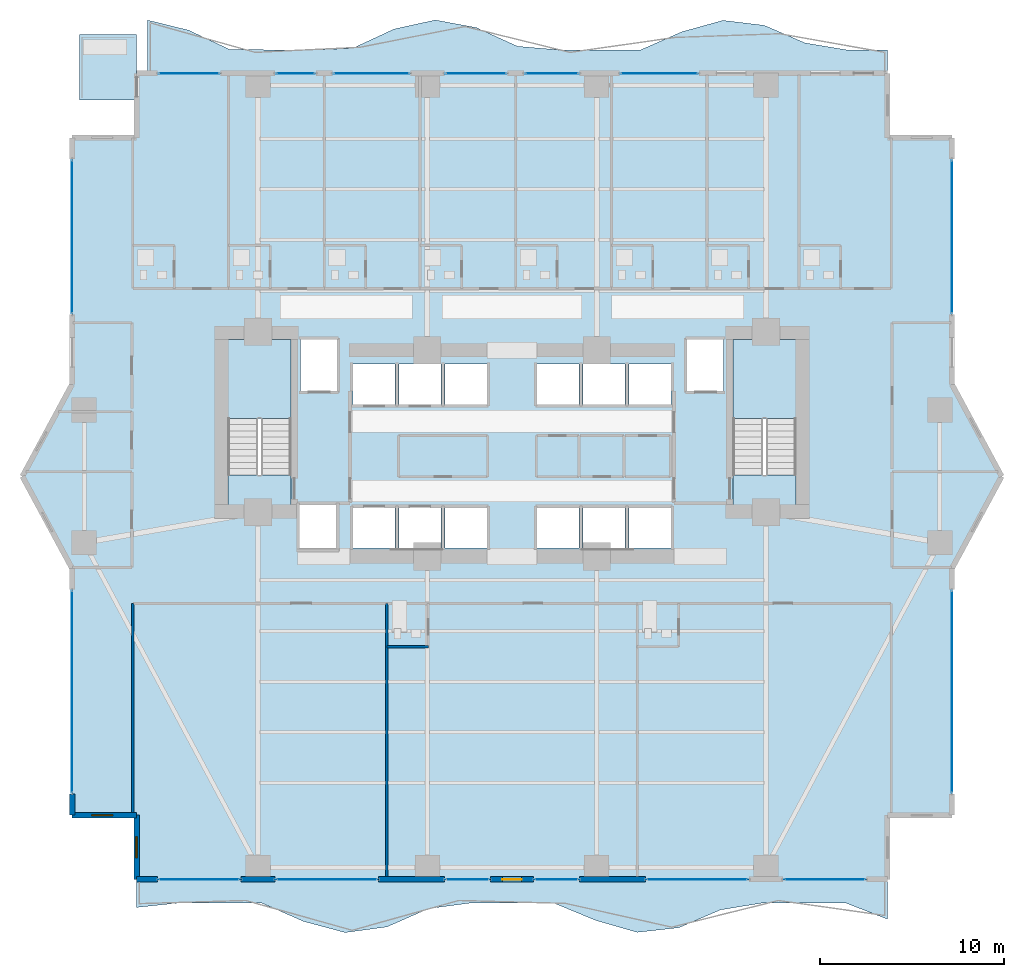
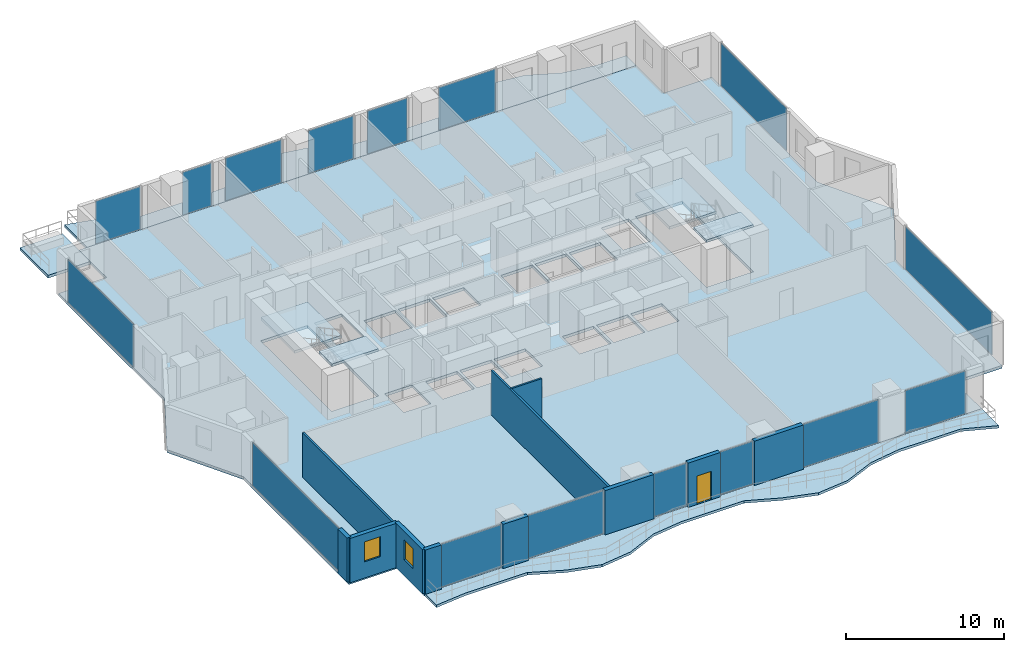
# One storey, part 20 of 29: 16 plates, 11 walls, 8 slabs, 2 windows, 1 door, 3 openings, 18 elements without a shape of their own.
"""IFC4 building model written with IfcOpenShell, lengths in metres."""

from ifc_helpers import new_model, si_unit, direction, frame, frame_2d, origin, origin_2d, place, context, subcontext, project, spatial, polyline, rectangle, outline, extrude, material, layer, layer_set, type_object, element, fill, aggregate, save


model = new_model("IFC4")

# Units and contexts
model_context = context("Model", 3, precision=1e-05, world=origin(), true_north=direction((0.0, 1.0)))
body_context = subcontext(model_context, "Body", "Model", "MODEL_VIEW")
ifc_project = project(units=[si_unit("LENGTHUNIT", "METRE"), si_unit("AREAUNIT", "SQUARE_METRE"), si_unit("VOLUMEUNIT", "CUBIC_METRE"), si_unit("PLANEANGLEUNIT", "RADIAN"), si_unit("MASSUNIT", "GRAM", prefix="KILO")], contexts=[model_context])

# Site, building, storey
site_placement = place(None, origin())
site = spatial("IfcSite", under=ifc_project, at=site_placement, CompositionType="ELEMENT")
building_placement = place(site_placement, origin())
building = spatial("IfcBuilding", under=site, at=building_placement, Name="Zuhayl Quay Hotel", CompositionType="ELEMENT")
storey_placement = place(building_placement, frame((0.0, 0.0, 113.89990234375)))
storey = spatial("IfcBuildingStorey", under=building, at=storey_placement, Name="L28", CompositionType="ELEMENT", Elevation=113.89990234375)

# Curtain wall, plate
ifc_material_1 = material(Name="Anodised Aluminium 6063-T6", Category="aluminium")
ifc_layer_1 = layer(ifc_material_1, 0.179931640625, Name="Anodised Aluminium 6063-T6", Category="aluminium")
ifc_layer_set_1 = layer_set([ifc_layer_1], Name="Anodised Aluminium 6063-T6")
curtain_wall_type = type_object("IfcCurtainWallType", Name="CW_SYS_Z2", PredefinedType="USERDEFINED", material=ifc_layer_set_1)
curtain_wall_1_placement = place(storey_placement, origin())
curtain_wall_1 = element("IfcCurtainWall", 1, at=curtain_wall_1_placement, inside=storey, type_object=curtain_wall_type, Name="L28 Curtain Wall ENV_L28_E02_CW1", ObjectType="UNITISED CURTAIN WALL", PredefinedType="USERDEFINED")
ifc_material_2 = material(Name="Dark Ceramic-Fritted Solar Glass", Category="glass")
ifc_layer_2 = layer(ifc_material_2, 0.035888671875, Name="Dark Ceramic-Fritted Solar Glass", Category="glass")
ifc_layer_set_2 = layer_set([ifc_layer_2], Name="Dark Ceramic-Fritted Solar Glass")
plate_type = type_object("IfcPlateType", Name="PN_DARK_FRIT_Z1", PredefinedType="CURTAIN_PANEL", material=ifc_layer_set_2)
plate_1_placement = place(storey_placement, frame((-23.89990234375, -5.199951171875, 0.06005859375), z_axis=(0.0, 0.0, 1.0), x_axis=(0.0, 1.0, 0.0)))
plate_1 = element("IfcPlate", 2, at=plate_1_placement, type_object=plate_type, Name="CW-Z2 panel 1.1", PredefinedType="CURTAIN_PANEL", context=body_context, shape_type="SweptSolid", body=[
    extrude(rectangle(XDim=10.969970703125, YDim=0.035888671875, at=origin_2d()), origin(), (0.0, 0.0, 1.0), 3.31005859375),
])
aggregate(curtain_wall_1, [plate_1])

curtain_wall_2_placement = place(storey_placement, origin())
curtain_wall_2 = element("IfcCurtainWall", 3, at=curtain_wall_2_placement, inside=storey, type_object=curtain_wall_type, Name="L28 Curtain Wall ENV_L28_E05_CW1", ObjectType="UNITISED CURTAIN WALL", PredefinedType="USERDEFINED")
plate_2_placement = place(storey_placement, frame((-23.89990234375, 19.52490234375, 0.06005859375), z_axis=(0.0, 0.0, 1.0), x_axis=(0.0, 1.0, 0.0)))
plate_2 = element("IfcPlate", 4, at=plate_2_placement, type_object=plate_type, Name="CW-Z2 panel 1.1", PredefinedType="CURTAIN_PANEL", context=body_context, shape_type="SweptSolid", body=[
    extrude(rectangle(XDim=8.320068359375, YDim=0.035888671875, at=origin_2d()), origin(), (0.0, 0.0, 1.0), 3.31005859375),
])
aggregate(curtain_wall_2, [plate_2])

curtain_wall_3_placement = place(storey_placement, origin())
curtain_wall_3 = element("IfcCurtainWall", 5, at=curtain_wall_3_placement, inside=storey, type_object=curtain_wall_type, Name="L28 Curtain Wall ENV_L28_N_CW1", ObjectType="UNITISED CURTAIN WALL", PredefinedType="USERDEFINED")
plate_3_placement = place(storey_placement, frame((-17.550048828125, 28.39990234375, 0.06005859375), z_axis=(0.0, 0.0, 1.0), x_axis=(1.0, 0.0, 0.0)))
plate_3 = element("IfcPlate", 6, at=plate_3_placement, type_object=plate_type, Name="CW-Z2 panel 1.1", PredefinedType="CURTAIN_PANEL", context=body_context, shape_type="SweptSolid", body=[
    extrude(rectangle(XDim=3.27001953125, YDim=0.035888671875, at=origin_2d()), origin(), (0.0, 0.0, 1.0), 3.31005859375),
])
aggregate(curtain_wall_3, [plate_3])

curtain_wall_4_placement = place(storey_placement, origin())
curtain_wall_4 = element("IfcCurtainWall", 7, at=curtain_wall_4_placement, inside=storey, type_object=curtain_wall_type, Name="L28 Curtain Wall ENV_L28_N_CW2", ObjectType="UNITISED CURTAIN WALL", PredefinedType="USERDEFINED")
plate_4_placement = place(storey_placement, frame((-11.764892578125, 28.39990234375, 0.06005859375), z_axis=(0.0, 0.0, 1.0), x_axis=(1.0, 0.0, 0.0)))
plate_4 = element("IfcPlate", 8, at=plate_4_placement, type_object=plate_type, Name="CW-Z2 panel 1.1", PredefinedType="CURTAIN_PANEL", context=body_context, shape_type="SweptSolid", body=[
    extrude(rectangle(XDim=2.10009765625, YDim=0.035888671875, at=origin_2d()), origin(), (0.0, 0.0, 1.0), 3.31005859375),
])
aggregate(curtain_wall_4, [plate_4])

curtain_wall_5_placement = place(storey_placement, origin())
curtain_wall_5 = element("IfcCurtainWall", 9, at=curtain_wall_5_placement, inside=storey, type_object=curtain_wall_type, Name="L28 Curtain Wall ENV_L28_N_CW3", ObjectType="UNITISED CURTAIN WALL", PredefinedType="USERDEFINED")
plate_5_placement = place(storey_placement, frame((-7.635009765625, 28.39990234375, 0.06005859375), z_axis=(0.0, 0.0, 1.0), x_axis=(1.0, 0.0, 0.0)))
plate_5 = element("IfcPlate", 10, at=plate_5_placement, type_object=plate_type, Name="CW-Z2 panel 1.1", PredefinedType="CURTAIN_PANEL", context=body_context, shape_type="SweptSolid", body=[
    extrude(rectangle(XDim=4.10009765625, YDim=0.035888671875, at=origin_2d()), origin(), (0.0, 0.0, 1.0), 3.31005859375),
])
aggregate(curtain_wall_5, [plate_5])

curtain_wall_6_placement = place(storey_placement, origin())
curtain_wall_6 = element("IfcCurtainWall", 11, at=curtain_wall_6_placement, inside=storey, type_object=curtain_wall_type, Name="L28 Curtain Wall ENV_L28_N_CW4", ObjectType="UNITISED CURTAIN WALL", PredefinedType="USERDEFINED")
plate_6_placement = place(storey_placement, frame((-1.965087890625, 28.39990234375, 0.06005859375), z_axis=(0.0, 0.0, 1.0), x_axis=(1.0, 0.0, 0.0)))
plate_6 = element("IfcPlate", 12, at=plate_6_placement, type_object=plate_type, Name="CW-Z2 panel 1.1", PredefinedType="CURTAIN_PANEL", context=body_context, shape_type="SweptSolid", body=[
    extrude(rectangle(XDim=3.300048828125, YDim=0.035888671875, at=origin_2d()), origin(), (0.0, 0.0, 1.0), 3.31005859375),
])
aggregate(curtain_wall_6, [plate_6])

curtain_wall_7_placement = place(storey_placement, origin())
curtain_wall_7 = element("IfcCurtainWall", 13, at=curtain_wall_7_placement, inside=storey, type_object=curtain_wall_type, Name="L28 Curtain Wall ENV_L28_N_CW5", ObjectType="UNITISED CURTAIN WALL", PredefinedType="USERDEFINED")
plate_7_placement = place(storey_placement, frame((2.1650390625, 28.39990234375, 0.06005859375), z_axis=(0.0, 0.0, 1.0), x_axis=(1.0, 0.0, 0.0)))
plate_7 = element("IfcPlate", 14, at=plate_7_placement, type_object=plate_type, Name="CW-Z2 panel 1.1", PredefinedType="CURTAIN_PANEL", context=body_context, shape_type="SweptSolid", body=[
    extrude(rectangle(XDim=2.89990234375, YDim=0.035888671875, at=origin_2d()), origin(), (0.0, 0.0, 1.0), 3.31005859375),
])
aggregate(curtain_wall_7, [plate_7])

curtain_wall_8_placement = place(storey_placement, origin())
curtain_wall_8 = element("IfcCurtainWall", 15, at=curtain_wall_8_placement, inside=storey, type_object=curtain_wall_type, Name="L28 Curtain Wall ENV_L28_N_CW6", ObjectType="UNITISED CURTAIN WALL", PredefinedType="USERDEFINED")
plate_8_placement = place(storey_placement, frame((8.0, 28.39990234375, 0.06005859375), z_axis=(0.0, 0.0, 1.0), x_axis=(1.0, 0.0, 0.0)))
plate_8 = element("IfcPlate", 16, at=plate_8_placement, type_object=plate_type, Name="CW-Z2 panel 1.1", PredefinedType="CURTAIN_PANEL", context=body_context, shape_type="SweptSolid", body=[
    extrude(rectangle(XDim=4.169921875, YDim=0.035888671875, at=origin_2d()), origin(), (0.0, 0.0, 1.0), 3.31005859375),
])
aggregate(curtain_wall_8, [plate_8])

curtain_wall_9_placement = place(storey_placement, origin())
curtain_wall_9 = element("IfcCurtainWall", 17, at=curtain_wall_9_placement, inside=storey, type_object=curtain_wall_type, Name="L28 Curtain Wall ENV_L28_E11_CW1", ObjectType="UNITISED CURTAIN WALL", PredefinedType="USERDEFINED")
plate_9_placement = place(storey_placement, frame((23.89990234375, 19.52490234375, 0.06005859375), z_axis=(0.0, 0.0, 1.0), x_axis=(0.0, -1.0, 0.0)))
plate_9 = element("IfcPlate", 18, at=plate_9_placement, type_object=plate_type, Name="CW-Z2 panel 1.1", PredefinedType="CURTAIN_PANEL", context=body_context, shape_type="SweptSolid", body=[
    extrude(rectangle(XDim=8.320068359375, YDim=0.035888671875, at=origin_2d()), origin(), (0.0, 0.0, 1.0), 3.31005859375),
])
aggregate(curtain_wall_9, [plate_9])

curtain_wall_10_placement = place(storey_placement, origin())
curtain_wall_10 = element("IfcCurtainWall", 19, at=curtain_wall_10_placement, inside=storey, type_object=curtain_wall_type, Name="L28 Curtain Wall ENV_L28_E14_CW1", ObjectType="UNITISED CURTAIN WALL", PredefinedType="USERDEFINED")
plate_10_placement = place(storey_placement, frame((23.89990234375, -5.199951171875, 0.06005859375), z_axis=(0.0, 0.0, 1.0), x_axis=(0.0, -1.0, 0.0)))
plate_10 = element("IfcPlate", 20, at=plate_10_placement, type_object=plate_type, Name="CW-Z2 panel 1.1", PredefinedType="CURTAIN_PANEL", context=body_context, shape_type="SweptSolid", body=[
    extrude(rectangle(XDim=10.969970703125, YDim=0.035888671875, at=origin_2d()), origin(), (0.0, 0.0, 1.0), 3.31005859375),
])
aggregate(curtain_wall_10, [plate_10])

curtain_wall_11_placement = place(storey_placement, origin())
curtain_wall_11 = element("IfcCurtainWall", 21, at=curtain_wall_11_placement, inside=storey, type_object=curtain_wall_type, Name="L28 Curtain Wall ENV_L28_S_CW1", ObjectType="UNITISED CURTAIN WALL", PredefinedType="USERDEFINED")
plate_11_placement = place(storey_placement, frame((16.985107421875, -15.39990234375, 0.06005859375), z_axis=(0.0, 0.0, 1.0), x_axis=(-1.0, 0.0, 0.0)))
plate_11 = element("IfcPlate", 22, at=plate_11_placement, type_object=plate_type, Name="CW-Z2 panel 1.1", PredefinedType="CURTAIN_PANEL", context=body_context, shape_type="SweptSolid", body=[
    extrude(rectangle(XDim=4.39990234375, YDim=0.035888671875, at=origin_2d()), origin(), (0.0, 0.0, 1.0), 3.31005859375),
])
aggregate(curtain_wall_11, [plate_11])

curtain_wall_12_placement = place(storey_placement, origin())
curtain_wall_12 = element("IfcCurtainWall", 23, at=curtain_wall_12_placement, inside=storey, type_object=curtain_wall_type, Name="L28 Curtain Wall ENV_L28_S_CW2", ObjectType="UNITISED CURTAIN WALL", PredefinedType="USERDEFINED")
plate_12_placement = place(storey_placement, frame((10.06494140625, -15.39990234375, 0.06005859375), z_axis=(0.0, 0.0, 1.0), x_axis=(-1.0, 0.0, 0.0)))
plate_12 = element("IfcPlate", 24, at=plate_12_placement, type_object=plate_type, Name="CW-Z2 panel 1.1", PredefinedType="CURTAIN_PANEL", context=body_context, shape_type="SweptSolid", body=[
    extrude(rectangle(XDim=5.5, YDim=0.035888671875, at=origin_2d()), origin(), (0.0, 0.0, 1.0), 3.31005859375),
])
aggregate(curtain_wall_12, [plate_12])

curtain_wall_13_placement = place(storey_placement, origin())
curtain_wall_13 = element("IfcCurtainWall", 25, at=curtain_wall_13_placement, inside=storey, type_object=curtain_wall_type, Name="L28 Curtain Wall ENV_L28_S_CW3", ObjectType="UNITISED CURTAIN WALL", PredefinedType="USERDEFINED")
plate_13_placement = place(storey_placement, frame((2.427490234375, -15.39990234375, 0.06005859375), z_axis=(0.0, 0.0, 1.0), x_axis=(-1.0, 0.0, 0.0)))
plate_13 = element("IfcPlate", 26, at=plate_13_placement, type_object=plate_type, Name="CW-Z2 panel 1.1", PredefinedType="CURTAIN_PANEL", context=body_context, shape_type="SweptSolid", body=[
    extrude(rectangle(XDim=2.375, YDim=0.035888671875, at=origin_2d()), origin(), (0.0, 0.0, 1.0), 3.31005859375),
])
aggregate(curtain_wall_13, [plate_13])

curtain_wall_14_placement = place(storey_placement, origin())
curtain_wall_14 = element("IfcCurtainWall", 27, at=curtain_wall_14_placement, inside=storey, type_object=curtain_wall_type, Name="L28 Curtain Wall ENV_L28_S_CW4", ObjectType="UNITISED CURTAIN WALL", PredefinedType="USERDEFINED")
plate_14_placement = place(storey_placement, frame((-2.427490234375, -15.39990234375, 0.06005859375), z_axis=(0.0, 0.0, 1.0), x_axis=(-1.0, 0.0, 0.0)))
plate_14 = element("IfcPlate", 28, at=plate_14_placement, type_object=plate_type, Name="CW-Z2 panel 1.1", PredefinedType="CURTAIN_PANEL", context=body_context, shape_type="SweptSolid", body=[
    extrude(rectangle(XDim=2.375, YDim=0.035888671875, at=origin_2d()), origin(), (0.0, 0.0, 1.0), 3.31005859375),
])
aggregate(curtain_wall_14, [plate_14])

curtain_wall_15_placement = place(storey_placement, origin())
curtain_wall_15 = element("IfcCurtainWall", 29, at=curtain_wall_15_placement, inside=storey, type_object=curtain_wall_type, Name="L28 Curtain Wall ENV_L28_S_CW5", ObjectType="UNITISED CURTAIN WALL", PredefinedType="USERDEFINED")
plate_15_placement = place(storey_placement, frame((-10.06494140625, -15.39990234375, 0.06005859375), z_axis=(0.0, 0.0, 1.0), x_axis=(-1.0, 0.0, 0.0)))
plate_15 = element("IfcPlate", 30, at=plate_15_placement, type_object=plate_type, Name="CW-Z2 panel 1.1", PredefinedType="CURTAIN_PANEL", context=body_context, shape_type="SweptSolid", body=[
    extrude(rectangle(XDim=5.5, YDim=0.035888671875, at=origin_2d()), origin(), (0.0, 0.0, 1.0), 3.31005859375),
])
aggregate(curtain_wall_15, [plate_15])

curtain_wall_16_placement = place(storey_placement, origin())
curtain_wall_16 = element("IfcCurtainWall", 31, at=curtain_wall_16_placement, inside=storey, type_object=curtain_wall_type, Name="L28 Curtain Wall ENV_L28_S_CW6", ObjectType="UNITISED CURTAIN WALL", PredefinedType="USERDEFINED")
plate_16_placement = place(storey_placement, frame((-16.985107421875, -15.39990234375, 0.06005859375), z_axis=(0.0, 0.0, 1.0), x_axis=(-1.0, 0.0, 0.0)))
plate_16 = element("IfcPlate", 32, at=plate_16_placement, type_object=plate_type, Name="CW-Z2 panel 1.1", PredefinedType="CURTAIN_PANEL", context=body_context, shape_type="SweptSolid", body=[
    extrude(rectangle(XDim=4.39990234375, YDim=0.035888671875, at=origin_2d()), origin(), (0.0, 0.0, 1.0), 3.31005859375),
])
aggregate(curtain_wall_16, [plate_16])

# Slabs
ifc_material_3 = material(Name="Concrete C45/55", Category="concrete")
ifc_layer_3 = layer(ifc_material_3, 0.195068359375, Name="Concrete C45/55", Category="concrete")
ifc_layer_set_3 = layer_set([ifc_layer_3], Name="Concrete C45/55")
slab_type_1 = type_object("IfcSlabType", Name="SL_BALCONY_195", PredefinedType="FLOOR", material=ifc_layer_set_3)
slab_1_placement = place(storey_placement, frame((0.0, 0.0, -0.19482421875)))
element("IfcSlab", 33, at=slab_1_placement, inside=storey, type_object=slab_type_1, Name="L28 Exterior Rippling Balcony Slab North", PredefinedType="FLOOR", context=body_context, shape_type="SweptSolid", body=[
    extrude(outline(polyline([(-19.800048828125, 28.39990234375), (20.39990234375, 28.39990234375), (20.39990234375, 29.679931640625), (18.166748046875, 29.679931640625), (15.933349609375, 30.050048828125), (13.699951171875, 31.010986328125), (11.466796875, 31.279052734375), (9.2333984375, 30.660888671875), (7.0, 29.679931640625), (4.7666015625, 29.679931640625), (2.533203125, 29.679931640625), (0.300048828125, 29.87060546875), (-1.933349609375, 30.886474609375), (-4.166748046875, 31.299072265625), (-6.39990234375, 30.81103515625), (-8.63330078125, 29.774169921875), (-10.86669921875, 29.679931640625), (-13.10009765625, 29.679931640625), (-15.333251953125, 29.695068359375), (-17.566650390625, 30.744384765625), (-19.800048828125, 31.293212890625), (-19.800048828125, 28.39990234375)])), origin(), (0.0, 0.0, 1.0), 0.19482421875),
])
slab_2_placement = place(storey_placement, frame((0.0, 0.0, -0.19482421875)))
element("IfcSlab", 34, at=slab_2_placement, inside=storey, type_object=slab_type_1, Name="L28 Exterior Rippling Balcony Slab South", PredefinedType="FLOOR", context=body_context, shape_type="SweptSolid", body=[
    extrude(outline(polyline([(-20.39990234375, -16.919189453125), (-18.13330078125, -16.679931640625), (-15.86669921875, -16.679931640625), (-13.60009765625, -16.679931640625), (-11.333251953125, -17.675048828125), (-9.066650390625, -18.28466796875), (-6.800048828125, -17.97900390625), (-4.533203125, -16.984619140625), (-2.2666015625, -16.679931640625), (0.0, -16.679931640625), (2.2666015625, -16.679931640625), (4.533203125, -17.617431640625), (6.800048828125, -18.272705078125), (9.066650390625, -18.021484375), (11.333251953125, -17.050048828125), (13.60009765625, -16.679931640625), (15.86669921875, -16.679931640625), (18.13330078125, -16.679931640625), (20.39990234375, -17.558349609375), (20.39990234375, -15.39990234375), (-20.39990234375, -15.39990234375), (-20.39990234375, -16.919189453125)])), origin(), (0.0, 0.0, 1.0), 0.19482421875),
])
ifc_layer_4 = layer(ifc_material_3, 0.219970703125, Name="Concrete C45/55", Category="concrete")
ifc_layer_set_4 = layer_set([ifc_layer_4], Name="Concrete C45/55")
slab_type_2 = type_object("IfcSlabType", Name="SL_FLOOR_220", PredefinedType="FLOOR", material=ifc_layer_set_4)
slab_3_placement = place(storey_placement, frame((0.0, 0.0, -0.219970703125)))
element("IfcSlab", 35, at=slab_3_placement, inside=storey, type_object=slab_type_2, Name="L28 Structural Floor Slab", PredefinedType="FLOOR", context=body_context, shape_type="SweptSolid", body=[
    extrude(outline(polyline([(-20.39990234375, -15.39990234375), (20.39990234375, -15.39990234375), (20.39990234375, -11.89990234375), (23.89990234375, -11.89990234375), (23.89990234375, 1.5), (26.60009765625, 6.5), (23.89990234375, 11.5), (23.89990234375, 24.89990234375), (20.39990234375, 24.89990234375), (20.39990234375, 28.39990234375), (-20.39990234375, 28.39990234375), (-20.39990234375, 24.89990234375), (-23.89990234375, 24.89990234375), (-23.89990234375, 11.5), (-26.60009765625, 6.5), (-23.89990234375, 1.5), (-23.89990234375, -11.89990234375), (-20.39990234375, -11.89990234375), (-20.39990234375, -15.39990234375)]), holes=[polyline([(-12.0, 4.949951171875), (-12.0, 13.949951171875), (-15.429931640625, 13.949951171875), (-15.429931640625, 4.949951171875), (-12.0, 4.949951171875)]), polyline([(15.429931640625, 4.949951171875), (15.429931640625, 13.949951171875), (12.0, 13.949951171875), (12.0, 4.949951171875), (15.429931640625, 4.949951171875)]), polyline([(-11.5, 11.14990234375), (-9.5, 11.14990234375), (-9.5, 13.949951171875), (-11.5, 13.949951171875), (-11.5, 11.14990234375)]), polyline([(9.5, 11.14990234375), (11.5, 11.14990234375), (11.5, 13.949951171875), (9.5, 13.949951171875), (9.5, 11.14990234375)]), polyline([(-8.64990234375, 2.60009765625), (-6.35009765625, 2.60009765625), (-6.35009765625, 4.800048828125), (-8.64990234375, 4.800048828125), (-8.64990234375, 2.60009765625)]), polyline([(-6.14990234375, 2.60009765625), (-3.85009765625, 2.60009765625), (-3.85009765625, 4.800048828125), (-6.14990234375, 4.800048828125), (-6.14990234375, 2.60009765625)]), polyline([(-8.64990234375, 10.39990234375), (-6.35009765625, 10.39990234375), (-6.35009765625, 12.60009765625), (-8.64990234375, 12.60009765625), (-8.64990234375, 10.39990234375)]), polyline([(-6.14990234375, 10.39990234375), (-3.85009765625, 10.39990234375), (-3.85009765625, 12.60009765625), (-6.14990234375, 12.60009765625), (-6.14990234375, 10.39990234375)]), polyline([(-3.64990234375, 2.60009765625), (-1.35009765625, 2.60009765625), (-1.35009765625, 4.800048828125), (-3.64990234375, 4.800048828125), (-3.64990234375, 2.60009765625)]), polyline([(1.35009765625, 2.60009765625), (3.64990234375, 2.60009765625), (3.64990234375, 4.800048828125), (1.35009765625, 4.800048828125), (1.35009765625, 2.60009765625)]), polyline([(-3.64990234375, 10.39990234375), (-1.35009765625, 10.39990234375), (-1.35009765625, 12.60009765625), (-3.64990234375, 12.60009765625), (-3.64990234375, 10.39990234375)]), polyline([(1.35009765625, 10.39990234375), (3.64990234375, 10.39990234375), (3.64990234375, 12.60009765625), (1.35009765625, 12.60009765625), (1.35009765625, 10.39990234375)]), polyline([(3.85009765625, 2.60009765625), (6.14990234375, 2.60009765625), (6.14990234375, 4.800048828125), (3.85009765625, 4.800048828125), (3.85009765625, 2.60009765625)]), polyline([(6.35009765625, 2.60009765625), (8.64990234375, 2.60009765625), (8.64990234375, 4.800048828125), (6.35009765625, 4.800048828125), (6.35009765625, 2.60009765625)]), polyline([(3.85009765625, 10.39990234375), (6.14990234375, 10.39990234375), (6.14990234375, 12.60009765625), (3.85009765625, 12.60009765625), (3.85009765625, 10.39990234375)]), polyline([(6.35009765625, 10.39990234375), (8.64990234375, 10.39990234375), (8.64990234375, 12.60009765625), (6.35009765625, 12.60009765625), (6.35009765625, 10.39990234375)]), polyline([(-11.550048828125, 2.550048828125), (-9.550048828125, 2.550048828125), (-9.550048828125, 4.949951171875), (-11.550048828125, 4.949951171875), (-11.550048828125, 2.550048828125)])]), origin(), (0.0, 0.0, 1.0), 0.219970703125),
])

# Stair, slabs
stair_type = type_object("IfcStairType", Name="ST_DOGLEG_TOWER", PredefinedType="HALF_TURN_STAIR", material=ifc_material_3)
stair_1_placement = place(storey_placement, origin())
stair_1 = element("IfcStair", 36, at=stair_1_placement, inside=storey, type_object=stair_type, Name="L28 Smokeproof Exit Stair ST1", PredefinedType="HALF_TURN_STAIR")
ifc_layer_5 = layer(ifc_material_3, 0.199951171875, Name="Concrete C45/55", Category="concrete")
ifc_layer_set_5 = layer_set([ifc_layer_5], Name="Concrete C45/55")
slab_type_3 = type_object("IfcSlabType", Name="SL_STAIR_LANDING_200", PredefinedType="LANDING", material=ifc_layer_set_5)
slab_4_placement = place(storey_placement, frame((0.0, 0.0, 1.625)))
slab_4 = element("IfcSlab", 37, at=slab_4_placement, type_object=slab_type_3, Name="ST1 landing 1", PredefinedType="LANDING", context=body_context, shape_type="SweptSolid", body=[
    extrude(outline(polyline([(-12.0, 9.64990234375), (-12.0, 13.949951171875), (-15.429931640625, 13.949951171875), (-15.429931640625, 9.64990234375), (-12.0, 9.64990234375)])), origin(), (0.0, 0.0, 1.0), 0.2001953125),
])
slab_5_placement = place(storey_placement, frame((0.0, 0.0, 3.4501953125)))
slab_5 = element("IfcSlab", 38, at=slab_5_placement, type_object=slab_type_3, Name="ST1 landing 2", PredefinedType="LANDING", context=body_context, shape_type="SweptSolid", body=[
    extrude(outline(polyline([(-12.0, 4.949951171875), (-12.0, 6.590087890625), (-15.429931640625, 6.590087890625), (-15.429931640625, 4.949951171875), (-12.0, 4.949951171875)])), origin(), (0.0, 0.0, 1.0), 0.199951171875),
])
aggregate(stair_1, [slab_4, slab_5])

stair_2_placement = place(storey_placement, origin())
stair_2 = element("IfcStair", 39, at=stair_2_placement, inside=storey, type_object=stair_type, Name="L28 Smokeproof Exit Stair ST2", PredefinedType="HALF_TURN_STAIR")
slab_6_placement = place(storey_placement, frame((0.0, 0.0, 1.625)))
slab_6 = element("IfcSlab", 40, at=slab_6_placement, type_object=slab_type_3, Name="ST2 landing 1", PredefinedType="LANDING", context=body_context, shape_type="SweptSolid", body=[
    extrude(outline(polyline([(15.429931640625, 9.64990234375), (15.429931640625, 13.949951171875), (12.0, 13.949951171875), (12.0, 9.64990234375), (15.429931640625, 9.64990234375)])), origin(), (0.0, 0.0, 1.0), 0.2001953125),
])
slab_7_placement = place(storey_placement, frame((0.0, 0.0, 3.4501953125)))
slab_7 = element("IfcSlab", 41, at=slab_7_placement, type_object=slab_type_3, Name="ST2 landing 2", PredefinedType="LANDING", context=body_context, shape_type="SweptSolid", body=[
    extrude(outline(polyline([(15.429931640625, 4.949951171875), (15.429931640625, 6.590087890625), (12.0, 6.590087890625), (12.0, 4.949951171875), (15.429931640625, 4.949951171875)])), origin(), (0.0, 0.0, 1.0), 0.199951171875),
])
aggregate(stair_2, [slab_6, slab_7])

# Slab
ifc_layer_6 = layer(ifc_material_3, 0.219970703125, Name="Concrete C45/55", Category="concrete")
ifc_layer_set_6 = layer_set([ifc_layer_6], Name="Concrete C45/55")
slab_type_4 = type_object("IfcSlabType", Name="SL_TERRACE_235", PredefinedType="FLOOR", material=ifc_layer_set_6)
slab_8_placement = place(storey_placement, frame((0.0, 0.0, -0.219970703125)))
element("IfcSlab", 42, at=slab_8_placement, inside=storey, type_object=slab_type_4, Name="L28 Exterior Sky-Terrace Slab L28_SPIRAL_NW", PredefinedType="FLOOR", context=body_context, shape_type="SweptSolid", body=[
    extrude(outline(polyline([(-23.5, 26.949951171875), (-20.39990234375, 26.949951171875), (-20.39990234375, 30.5), (-23.5, 30.5), (-23.5, 26.949951171875)])), origin(), (0.0, 0.0, 1.0), 0.219970703125),
])

# Wall, opening, window
ifc_material_4 = material(Name="Precast concrete C45/55", Category="concrete")
ifc_layer_7 = layer(ifc_material_4, 0.300048828125, Name="Precast concrete C45/55", Category="concrete")
ifc_layer_set_7 = layer_set([ifc_layer_7], Name="Precast concrete C45/55")
wall_type_1 = type_object("IfcWallType", Name="WL_EXT_300", PredefinedType="STANDARD", material=ifc_layer_set_7)
wall_1_placement = place(storey_placement, frame((-20.39990234375, -11.89990234375, 0.0), z_axis=(0.0, 0.0, 1.0), x_axis=(-1.0, 0.0, 0.0)))
wall_1 = element("IfcWall", 43, at=wall_1_placement, inside=storey, type_object=wall_type_1, Name="L28 Exterior Precast Wall ENV_L28_EW01", PredefinedType="STANDARD", context=body_context, shape_type="SweptSolid", body=[
    extrude(rectangle(XDim=3.5, YDim=0.300048828125, at=frame_2d((1.75, 0.0))), origin(), (0.0, 0.0, 1.0), 3.43017578125),
])
opening_1_placement = place(wall_1_placement, frame((1.284912109375, 0.0, 1.25)))
opening_1 = element("IfcOpeningElement", 44, at=opening_1_placement, cuts=wall_1, Name="Opening W01N", PredefinedType="OPENING", context=body_context, shape_type="SweptSolid", body=[
    extrude(rectangle(XDim=1.14990234375, YDim=1.550048828125, at=frame_2d((0.574951171875, 0.77490234375))), frame((0.0, 0.159912109375, 0.0), z_axis=(0.0, -1.0, 0.0), x_axis=(1.0, 0.0, 0.0)), (0.0, 0.0, 1.0), 0.320068359375),
])
window_type = type_object("IfcWindowType", Name="WN_NOTCH_1350", PartitioningType="SINGLE_PANEL", PredefinedType="WINDOW", material=ifc_material_2)
window_1_placement = place(opening_1_placement, origin())
window_1 = element("IfcWindow", 45, at=window_1_placement, inside=storey, type_object=window_type, Name="L28 Corner Notch Window 1", OverallHeight=1.550048828125, OverallWidth=1.14990234375, PartitioningType="SINGLE_PANEL", PredefinedType="WINDOW", context=body_context, shape_type="SweptSolid", body=[
    extrude(rectangle(XDim=1.14990234375, YDim=1.550048828125, at=frame_2d((0.574951171875, 0.77490234375))), frame((0.0, 0.030029296875, 0.0), z_axis=(0.0, -1.0, 0.0), x_axis=(1.0, 0.0, 0.0)), (0.0, 0.0, 1.0), 0.06005859375),
])
fill(opening_1, window_1)

# Walls
wall_2_placement = place(storey_placement, frame((-23.89990234375, -11.89990234375, 0.0), z_axis=(0.0, 0.0, 1.0), x_axis=(0.0, 1.0, 0.0)))
element("IfcWall", 46, at=wall_2_placement, inside=storey, type_object=wall_type_1, Name="L28 Exterior Precast Wall ENV_L28_E02_EW1", PredefinedType="STANDARD", context=body_context, shape_type="SweptSolid", body=[
    extrude(rectangle(XDim=1.14990234375, YDim=0.300048828125, at=frame_2d((0.574951171875, 0.0))), origin(), (0.0, 0.0, 1.0), 3.43017578125),
])
wall_3_placement = place(storey_placement, frame((7.25, -15.39990234375, 0.0), z_axis=(0.0, 0.0, 1.0), x_axis=(-1.0, 0.0, 0.0)))
element("IfcWall", 47, at=wall_3_placement, inside=storey, type_object=wall_type_1, Name="L28 Exterior Precast Wall ENV_L28_S_EW3", PredefinedType="STANDARD", context=body_context, shape_type="SweptSolid", body=[
    extrude(rectangle(XDim=3.570068359375, YDim=0.300048828125, at=frame_2d((1.78515625, 0.0))), origin(), (0.0, 0.0, 1.0), 3.43017578125),
])

# Wall, opening, door
wall_4_placement = place(storey_placement, frame((1.175048828125, -15.39990234375, 0.0), z_axis=(0.0, 0.0, 1.0), x_axis=(-1.0, 0.0, 0.0)))
wall_4 = element("IfcWall", 48, at=wall_4_placement, inside=storey, type_object=wall_type_1, Name="L28 Exterior Precast Wall ENV_L28_S_EW4", PredefinedType="STANDARD", context=body_context, shape_type="SweptSolid", body=[
    extrude(rectangle(XDim=2.35009765625, YDim=0.300048828125, at=frame_2d((1.175048828125, 0.0))), origin(), (0.0, 0.0, 1.0), 3.43017578125),
])
opening_2_placement = place(wall_4_placement, frame((0.64990234375, 0.0, 0.0)))
opening_2 = element("IfcOpeningElement", 49, at=opening_2_placement, cuts=wall_4, Name="Opening DG1", PredefinedType="OPENING", context=body_context, shape_type="SweptSolid", body=[
    extrude(rectangle(XDim=1.050048828125, YDim=2.199951171875, at=frame_2d((0.52490234375, 1.10009765625))), frame((0.0, 0.159912109375, 0.0), z_axis=(0.0, -1.0, 0.0), x_axis=(1.0, 0.0, 0.0)), (0.0, 0.0, 1.0), 0.320068359375),
])
ifc_material_5 = material(Name="Anodised Aluminium and Dark Solar Glass", Category="aluminium")
door_type = type_object("IfcDoorType", Name="DR_EXT_TERR_1050", OperationType="NOTDEFINED", PredefinedType="DOOR", material=ifc_material_5)
door_placement = place(opening_2_placement, origin())
door = element("IfcDoor", 50, at=door_placement, inside=storey, type_object=door_type, Name="L28 South Rippling Balcony Door", OperationType="SINGLE_SWING_RIGHT", OverallHeight=2.199951171875, OverallWidth=1.050048828125, PredefinedType="DOOR", context=body_context, shape_type="SweptSolid", body=[
    extrude(rectangle(XDim=1.050048828125, YDim=2.199951171875, at=frame_2d((0.52490234375, 1.10009765625))), frame((0.0, 0.02490234375, 0.0), z_axis=(0.0, -1.0, 0.0), x_axis=(1.0, 0.0, 0.0)), (0.0, 0.0, 1.0), 0.050048828125),
])
fill(opening_2, door)

# Walls
wall_5_placement = place(storey_placement, frame((-3.679931640625, -15.39990234375, 0.0), z_axis=(0.0, 0.0, 1.0), x_axis=(-1.0, 0.0, 0.0)))
element("IfcWall", 51, at=wall_5_placement, inside=storey, type_object=wall_type_1, Name="L28 Exterior Precast Wall ENV_L28_S_EW5", PredefinedType="STANDARD", context=body_context, shape_type="SweptSolid", body=[
    extrude(rectangle(XDim=3.570068359375, YDim=0.300048828125, at=frame_2d((1.78515625, 0.0))), origin(), (0.0, 0.0, 1.0), 3.43017578125),
])
wall_6_placement = place(storey_placement, frame((-12.8798828125, -15.39990234375, 0.0), z_axis=(0.0, 0.0, 1.0), x_axis=(-1.0, 0.0, 0.0)))
element("IfcWall", 52, at=wall_6_placement, inside=storey, type_object=wall_type_1, Name="L28 Exterior Precast Wall ENV_L28_S_EW6", PredefinedType="STANDARD", context=body_context, shape_type="SweptSolid", body=[
    extrude(rectangle(XDim=1.840087890625, YDim=0.300048828125, at=frame_2d((0.919921875, 0.0))), origin(), (0.0, 0.0, 1.0), 3.43017578125),
])
wall_7_placement = place(storey_placement, frame((-19.25, -15.39990234375, 0.0), z_axis=(0.0, 0.0, 1.0), x_axis=(-1.0, 0.0, 0.0)))
element("IfcWall", 53, at=wall_7_placement, inside=storey, type_object=wall_type_1, Name="L28 Exterior Precast Wall ENV_L28_S_EW7", PredefinedType="STANDARD", context=body_context, shape_type="SweptSolid", body=[
    extrude(rectangle(XDim=1.14990234375, YDim=0.300048828125, at=frame_2d((0.574951171875, 0.0))), origin(), (0.0, 0.0, 1.0), 3.43017578125),
])

# Wall, opening, window
wall_8_placement = place(storey_placement, frame((-20.39990234375, -15.39990234375, 0.0), z_axis=(0.0, 0.0, 1.0), x_axis=(0.0, 1.0, 0.0)))
wall_8 = element("IfcWall", 54, at=wall_8_placement, inside=storey, type_object=wall_type_1, Name="L28 Exterior Precast Wall ENV_L28_EW18", PredefinedType="STANDARD", context=body_context, shape_type="SweptSolid", body=[
    extrude(rectangle(XDim=3.5, YDim=0.300048828125, at=frame_2d((1.75, 0.0))), origin(), (0.0, 0.0, 1.0), 3.43017578125),
])
opening_3_placement = place(wall_8_placement, frame((1.175048828125, 0.0, 1.25)))
opening_3 = element("IfcOpeningElement", 55, at=opening_3_placement, cuts=wall_8, Name="Opening W01N", PredefinedType="OPENING", context=body_context, shape_type="SweptSolid", body=[
    extrude(rectangle(XDim=1.14990234375, YDim=1.550048828125, at=frame_2d((0.574951171875, 0.77490234375))), frame((0.0, 0.159912109375, 0.0), z_axis=(0.0, -1.0, 0.0), x_axis=(1.0, 0.0, 0.0)), (0.0, 0.0, 1.0), 0.320068359375),
])
window_2_placement = place(opening_3_placement, origin())
window_2 = element("IfcWindow", 56, at=window_2_placement, inside=storey, type_object=window_type, Name="L28 Corner Notch Window 18", OverallHeight=1.550048828125, OverallWidth=1.14990234375, PartitioningType="SINGLE_PANEL", PredefinedType="WINDOW", context=body_context, shape_type="SweptSolid", body=[
    extrude(rectangle(XDim=1.14990234375, YDim=1.550048828125, at=frame_2d((0.574951171875, 0.77490234375))), frame((0.0, 0.030029296875, 0.0), z_axis=(0.0, -1.0, 0.0), x_axis=(1.0, 0.0, 0.0)), (0.0, 0.0, 1.0), 0.06005859375),
])
fill(opening_3, window_2)

# Walls
ifc_material_6 = material(Name="Acoustic Gypsum Partition STC-58")
ifc_layer_8 = layer(ifc_material_6, 0.14990234375, Name="Acoustic Gypsum Partition STC-58")
ifc_layer_set_8 = layer_set([ifc_layer_8], Name="Acoustic Gypsum Partition STC-58")
wall_type_2 = type_object("IfcWallType", Name="WL_PART_150", PredefinedType="PARTITIONING", material=ifc_layer_set_8)
wall_9_placement = place(storey_placement, frame((-20.60009765625, -11.840087890625, 0.0), z_axis=(0.0, 0.0, 1.0), x_axis=(0.0, 1.0, 0.0)))
element("IfcWall", 57, at=wall_9_placement, inside=storey, type_object=wall_type_2, Name="L28 Partition IW_L28_SSAL_0_W", PredefinedType="PARTITIONING", context=body_context, shape_type="SweptSolid", body=[
    extrude(rectangle(XDim=11.440185546875, YDim=0.14990234375, at=frame_2d((5.72021484375, 0.0))), origin(), (0.0, 0.0, 1.0), 3.43017578125),
])
wall_10_placement = place(storey_placement, frame((-6.800048828125, -15.340087890625, 0.0), z_axis=(0.0, 0.0, 1.0), x_axis=(0.0, 1.0, 0.0)))
element("IfcWall", 58, at=wall_10_placement, inside=storey, type_object=wall_type_2, Name="L28 Partition IW_L28_SSAL_0_E", PredefinedType="PARTITIONING", context=body_context, shape_type="SweptSolid", body=[
    extrude(rectangle(XDim=14.940185546875, YDim=0.14990234375, at=frame_2d((7.47021484375, 0.0))), origin(), (0.0, 0.0, 1.0), 3.43017578125),
])
ifc_material_7 = material(Name="Moisture-Resistant Sanitarychase Gypsum")
ifc_layer_9 = layer(ifc_material_7, 0.135009765625, Name="Moisture-Resistant Sanitarychase Gypsum")
ifc_layer_set_9 = layer_set([ifc_layer_9], Name="Moisture-Resistant Sanitarychase Gypsum")
wall_type_3 = type_object("IfcWallType", Name="WL_PART_PLUMB_150", PredefinedType="PLUMBINGWALL", material=ifc_layer_set_9)
wall_11_placement = place(storey_placement, frame((-6.800048828125, -2.760009765625, 0.0), z_axis=(0.0, 0.0, 1.0), x_axis=(1.0, 0.0, 0.0)))
element("IfcWall", 59, at=wall_11_placement, inside=storey, type_object=wall_type_3, Name="L28 Partition IW_L28_SU02_BS", PredefinedType="PLUMBINGWALL", context=body_context, shape_type="SweptSolid", body=[
    extrude(rectangle(XDim=2.260009765625, YDim=0.135009765625, at=frame_2d((1.1298828125, 0.0))), origin(), (0.0, 0.0, 1.0), 3.43017578125),
])

save(model, "model.ifc")
